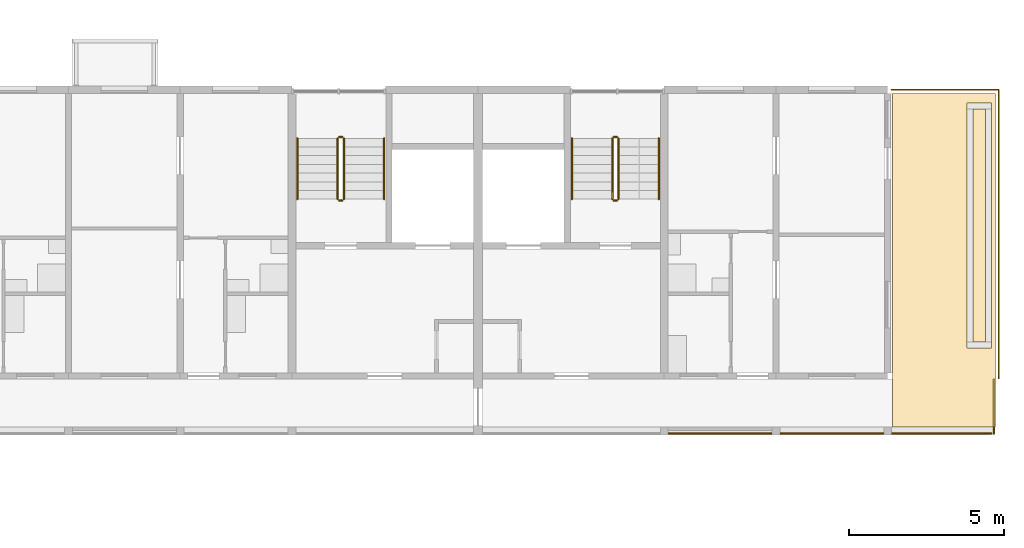
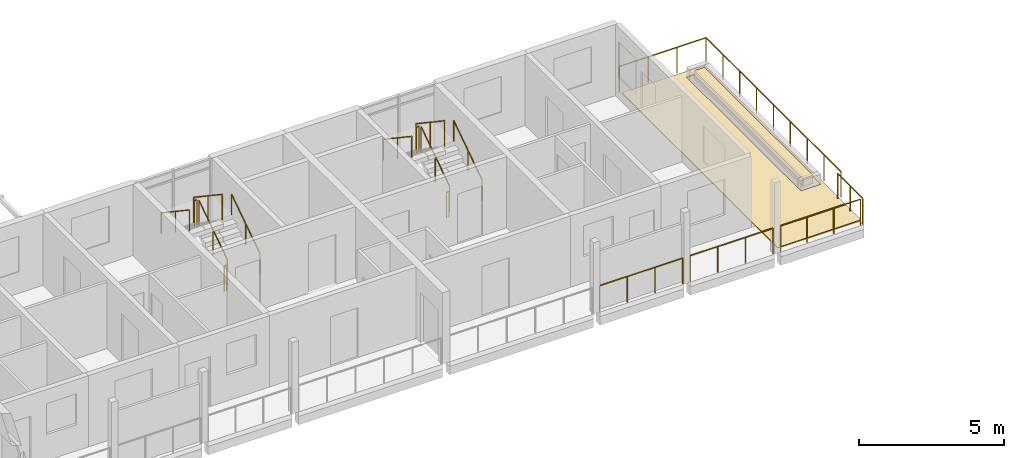
# One storey, part 90 of 94: 17 railings, 3 coverings.
"""IFC4 building model written with IfcOpenShell, lengths in metres."""

from ifc_helpers import new_model, si_unit, direction, frame, origin, origin_2d, place, context, subcontext, project, spatial, polyline, circle, outline, extrude, material, layer, layer_set, type_object, element, save


model = new_model("IFC4")

# Units and contexts
model_context = context("Model", 3, precision=1e-05, world=origin(), true_north=direction((0.0, 1.0)))
body_context = subcontext(model_context, "Body", "Model", "MODEL_VIEW")
ifc_project = project(units=[si_unit("LENGTHUNIT", "METRE"), si_unit("AREAUNIT", "SQUARE_METRE"), si_unit("VOLUMEUNIT", "CUBIC_METRE"), si_unit("PLANEANGLEUNIT", "RADIAN"), si_unit("MASSUNIT", "GRAM", prefix="KILO")], contexts=[model_context])

# Site, building, storey
site_placement = place(None, origin())
site = spatial("IfcSite", under=ifc_project, at=site_placement, CompositionType="ELEMENT")
building_placement = place(site_placement, origin())
building = spatial("IfcBuilding", under=site, at=building_placement, Name="Ridgestep Commons", CompositionType="ELEMENT")
storey_placement = place(building_placement, frame((0.0, 0.0, 21.0)))
storey = spatial("IfcBuildingStorey", under=building, at=storey_placement, Name="L07", CompositionType="ELEMENT", Elevation=21.0)

# Railings
ifc_material_1 = material(Name="Structural steel S355JR", Category="steel")
railing_type_1 = type_object("IfcRailingType", Name="Guard 1100", PredefinedType="GUARDRAIL", material=ifc_material_1)
railing_1_placement = place(storey_placement, frame((247.5791015625, 67.821044921875, 0.0)))
element("IfcRailing", 1, at=railing_1_placement, inside=storey, type_object=railing_type_1, Name="Guard TD-C6R1-GD", PredefinedType="GUARDRAIL", context=body_context, shape_type="SweptSolid", body=[
    extrude(circle(Radius=0.02392578125, at=origin_2d()), frame((0.0, 0.0, 1.076171875), z_axis=(0.0, 1.0, 0.0), x_axis=(-1.0, 0.0, 0.0)), (0.0, 0.0, 1.0), 9.303955078125),
    extrude(circle(Radius=0.02392578125, at=origin_2d()), frame((0.0, 9.303955078125, 1.076171875), z_axis=(-1.0, 0.0, 0.0), x_axis=(0.0, -1.0, 0.0)), (0.0, 0.0, 1.0), 3.4580078125),
    extrude(circle(Radius=0.02099609375, at=origin_2d()), origin(), (0.0, 0.0, 1.0), 1.052001953125),
    extrude(circle(Radius=0.02099609375, at=origin_2d()), frame((0.0, 1.1630859375, 0.0)), (0.0, 0.0, 1.0), 1.052001953125),
    extrude(circle(Radius=0.02099609375, at=origin_2d()), frame((0.0, 2.325927734375, 0.0)), (0.0, 0.0, 1.0), 1.052001953125),
    extrude(circle(Radius=0.02099609375, at=origin_2d()), frame((0.0, 3.489013671875, 0.0)), (0.0, 0.0, 1.0), 1.052001953125),
    extrude(circle(Radius=0.02099609375, at=origin_2d()), frame((0.0, 4.65185546875, 0.0)), (0.0, 0.0, 1.0), 1.052001953125),
    extrude(circle(Radius=0.02099609375, at=origin_2d()), frame((0.0, 5.81494140625, 0.0)), (0.0, 0.0, 1.0), 1.052001953125),
    extrude(circle(Radius=0.02099609375, at=origin_2d()), frame((0.0, 6.97802734375, 0.0)), (0.0, 0.0, 1.0), 1.052001953125),
    extrude(circle(Radius=0.02099609375, at=origin_2d()), frame((0.0, 8.140869140625, 0.0)), (0.0, 0.0, 1.0), 1.052001953125),
    extrude(circle(Radius=0.02099609375, at=origin_2d()), frame((0.0, 9.303955078125, 0.0)), (0.0, 0.0, 1.0), 1.052001953125),
    extrude(circle(Radius=0.02099609375, at=origin_2d()), frame((-1.152587890625, 9.303955078125, 0.0)), (0.0, 0.0, 1.0), 1.052001953125),
    extrude(circle(Radius=0.02099609375, at=origin_2d()), frame((-2.305419921875, 9.303955078125, 0.0)), (0.0, 0.0, 1.0), 1.052001953125),
    extrude(circle(Radius=0.02099609375, at=origin_2d()), frame((-3.4580078125, 9.303955078125, 0.0)), (0.0, 0.0, 1.0), 1.052001953125),
])
railing_2_placement = place(storey_placement, frame((236.946044921875, 66.050048828125, 0.0)))
element("IfcRailing", 2, at=railing_2_placement, inside=storey, type_object=railing_type_1, Name="Gallery guard C 07.22", PredefinedType="GUARDRAIL", context=body_context, shape_type="SweptSolid", body=[
    extrude(circle(Radius=0.02392578125, at=origin_2d()), frame((0.0, 0.0, 1.076171875), z_axis=(1.0, 0.0, 0.0), x_axis=(0.0, 1.0, 0.0)), (0.0, 0.0, 1.0), 3.307861328125),
    extrude(circle(Radius=0.02099609375, at=origin_2d()), origin(), (0.0, 0.0, 1.0), 1.052001953125),
    extrude(circle(Radius=0.02099609375, at=origin_2d()), frame((1.1025390625, 0.0, 0.0)), (0.0, 0.0, 1.0), 1.052001953125),
    extrude(circle(Radius=0.02099609375, at=origin_2d()), frame((2.205322265625, 0.0, 0.0)), (0.0, 0.0, 1.0), 1.052001953125),
    extrude(circle(Radius=0.02099609375, at=origin_2d()), frame((3.307861328125, 0.0, 0.0)), (0.0, 0.0, 1.0), 1.052001953125),
])
railing_3_placement = place(storey_placement, frame((240.5458984375, 66.050048828125, 0.0)))
element("IfcRailing", 3, at=railing_3_placement, inside=storey, type_object=railing_type_1, Name="Gallery guard C 07.23", PredefinedType="GUARDRAIL", context=body_context, shape_type="SweptSolid", body=[
    extrude(circle(Radius=0.02392578125, at=origin_2d()), frame((0.0, 0.0, 1.076171875), z_axis=(1.0, 0.0, 0.0), x_axis=(0.0, 1.0, 0.0)), (0.0, 0.0, 1.0), 3.30810546875),
    extrude(circle(Radius=0.02099609375, at=origin_2d()), origin(), (0.0, 0.0, 1.0), 1.052001953125),
    extrude(circle(Radius=0.02099609375, at=origin_2d()), frame((1.102783203125, 0.0, 0.0)), (0.0, 0.0, 1.0), 1.052001953125),
    extrude(circle(Radius=0.02099609375, at=origin_2d()), frame((2.205322265625, 0.0, 0.0)), (0.0, 0.0, 1.0), 1.052001953125),
    extrude(circle(Radius=0.02099609375, at=origin_2d()), frame((3.30810546875, 0.0, 0.0)), (0.0, 0.0, 1.0), 1.052001953125),
])
railing_4_placement = place(storey_placement, frame((244.14599609375, 66.050048828125, 0.0)))
element("IfcRailing", 4, at=railing_4_placement, inside=storey, type_object=railing_type_1, Name="Gallery guard C 07.24", PredefinedType="GUARDRAIL", context=body_context, shape_type="SweptSolid", body=[
    extrude(circle(Radius=0.02392578125, at=origin_2d()), frame((0.0, 0.0, 1.076171875), z_axis=(1.0, 0.0, 0.0), x_axis=(0.0, 1.0, 0.0)), (0.0, 0.0, 1.0), 3.193115234375),
    extrude(circle(Radius=0.02099609375, at=origin_2d()), origin(), (0.0, 0.0, 1.0), 1.052001953125),
    extrude(circle(Radius=0.02099609375, at=origin_2d()), frame((1.064453125, 0.0, 0.0)), (0.0, 0.0, 1.0), 1.052001953125),
    extrude(circle(Radius=0.02099609375, at=origin_2d()), frame((2.128662109375, 0.0, 0.0)), (0.0, 0.0, 1.0), 1.052001953125),
    extrude(circle(Radius=0.02099609375, at=origin_2d()), frame((3.193115234375, 0.0, 0.0)), (0.0, 0.0, 1.0), 1.052001953125),
])
railing_5_placement = place(storey_placement, frame((247.428955078125, 66.050048828125, 0.0)))
element("IfcRailing", 5, at=railing_5_placement, inside=storey, type_object=railing_type_1, Name="Gallery end guard C 07.24E", PredefinedType="GUARDRAIL", context=body_context, shape_type="SweptSolid", body=[
    extrude(circle(Radius=0.02392578125, at=origin_2d()), frame((0.0, 0.0, 1.076171875), z_axis=(0.0, 1.0, 0.0), x_axis=(-1.0, 0.0, 0.0)), (0.0, 0.0, 1.0), 1.72900390625),
    extrude(circle(Radius=0.02099609375, at=origin_2d()), origin(), (0.0, 0.0, 1.0), 1.052001953125),
    extrude(circle(Radius=0.02099609375, at=origin_2d()), frame((0.0, 0.864501953125, 0.0)), (0.0, 0.0, 1.0), 1.052001953125),
    extrude(circle(Radius=0.02099609375, at=origin_2d()), frame((0.0, 1.72900390625, 0.0)), (0.0, 0.0, 1.0), 1.052001953125),
])

# Covering
ifc_material_2 = material(Name="Planting soil")
ifc_layer_1 = layer(ifc_material_2, 0.35009765625)
ifc_layer_set_1 = layer_set([ifc_layer_1], Name="Planting soil 350")
covering_type_1 = type_object("IfcCoveringType", Name="Planting soil 350", PredefinedType="FLOORING", material=ifc_layer_set_1)
covering_1_placement = place(storey_placement, frame((0.0, 0.0, 0.010009765625)))
element("IfcCovering", 6, at=covering_1_placement, inside=storey, type_object=covering_type_1, Name="Planting soil C6R1", PredefinedType="FLOORING", context=body_context, shape_type="SweptSolid", body=[
    extrude(outline(polyline([(246.75, 69.0), (247.14990234375, 69.0), (247.14990234375, 76.5), (246.75, 76.5), (246.75, 69.0)])), origin(), (0.0, 0.0, 1.0), 0.35009765625),
])

# Railings
ifc_material_3 = material(Name="Structural steel S355JR", Category="steel")
railing_type_2 = type_object("IfcRailingType", Name="Stair guard 1100", PredefinedType="GUARDRAIL", material=ifc_material_3)
railing_6_placement = place(storey_placement, frame((226.47509765625, 73.60009765625, 0.1875)))
element("IfcRailing", 7, at=railing_6_placement, inside=storey, type_object=railing_type_2, Name="L07 C5C stair guard 1", PredefinedType="GUARDRAIL", context=body_context, shape_type="SweptSolid", body=[
    extrude(circle(Radius=0.02392578125, at=origin_2d()), frame((0.0, 0.0, 1.076171875), z_axis=(0.0, 0.830902050051, 0.556418712142), x_axis=(-1.0, 0.0, 0.0)), (0.0, 0.0, 1.0), 2.35888671875),
    extrude(circle(Radius=0.02099609375, at=origin_2d()), origin(), (0.0, 0.0, 1.0), 1.052001953125),
    extrude(circle(Radius=0.02099609375, at=origin_2d()), frame((0.0, 0.97998046875, 0.65625)), (0.0, 0.0, 1.0), 1.052001953125),
    extrude(circle(Radius=0.02099609375, at=origin_2d()), frame((0.0, 1.9599609375, 1.3125)), (0.0, 0.0, 1.0), 1.052001953125),
])
railing_7_placement = place(storey_placement, frame((226.425048828125, 75.610107421875, 1.5)))
element("IfcRailing", 8, at=railing_7_placement, inside=storey, type_object=railing_type_2, Name="L07 C5C stair guard 2", PredefinedType="GUARDRAIL", context=body_context, shape_type="SweptSolid", body=[
    extrude(circle(Radius=0.02392578125, at=origin_2d()), frame((0.0, 0.0, 1.076171875), z_axis=(-1.0, 0.0, 0.0), x_axis=(0.0, -1.0, 0.0)), (0.0, 0.0, 1.0), 0.10009765625),
    extrude(circle(Radius=0.02099609375, at=origin_2d()), origin(), (0.0, 0.0, 1.0), 1.052001953125),
    extrude(circle(Radius=0.02099609375, at=origin_2d()), frame((-0.10009765625, 0.0, 0.0)), (0.0, 0.0, 1.0), 1.052001953125),
])
railing_8_placement = place(storey_placement, frame((226.27490234375, 75.56005859375, 1.6875)))
element("IfcRailing", 9, at=railing_8_placement, inside=storey, type_object=railing_type_2, Name="L07 C5C stair guard 3", PredefinedType="GUARDRAIL", context=body_context, shape_type="SweptSolid", body=[
    extrude(circle(Radius=0.02392578125, at=origin_2d()), frame((0.0, 0.0, 1.076171875), z_axis=(0.0, -0.830902050051, 0.556418712142), x_axis=(1.0, 0.0, 0.0)), (0.0, 0.0, 1.0), 2.35888671875),
    extrude(circle(Radius=0.02099609375, at=origin_2d()), origin(), (0.0, 0.0, 1.0), 1.052001953125),
    extrude(circle(Radius=0.02099609375, at=origin_2d()), frame((0.0, -0.97998046875, 0.65625)), (0.0, 0.0, 1.0), 1.052001953125),
    extrude(circle(Radius=0.02099609375, at=origin_2d()), frame((0.0, -1.9599609375, 1.3125)), (0.0, 0.0, 1.0), 1.052001953125),
])
railing_9_placement = place(storey_placement, frame((226.425048828125, 73.550048828125, 0.0)))
element("IfcRailing", 10, at=railing_9_placement, inside=storey, type_object=railing_type_2, Name="L07 C5C stair guard 4", PredefinedType="GUARDRAIL", context=body_context, shape_type="SweptSolid", body=[
    extrude(circle(Radius=0.02392578125, at=origin_2d()), frame((0.0, 0.0, 1.076171875), z_axis=(-1.0, 0.0, 0.0), x_axis=(0.0, -1.0, 0.0)), (0.0, 0.0, 1.0), 0.10009765625),
    extrude(circle(Radius=0.02099609375, at=origin_2d()), origin(), (0.0, 0.0, 1.0), 1.052001953125),
    extrude(circle(Radius=0.02099609375, at=origin_2d()), frame((-0.10009765625, 0.0, 0.0)), (0.0, 0.0, 1.0), 1.052001953125),
])
railing_10_placement = place(storey_placement, frame((235.324951171875, 73.60009765625, 0.1875)))
element("IfcRailing", 11, at=railing_10_placement, inside=storey, type_object=railing_type_2, Name="L07 C6C stair guard 1", PredefinedType="GUARDRAIL", context=body_context, shape_type="SweptSolid", body=[
    extrude(circle(Radius=0.02392578125, at=origin_2d()), frame((0.0, 0.0, 1.076171875), z_axis=(0.0, 0.830902050051, 0.556418712142), x_axis=(-1.0, 0.0, 0.0)), (0.0, 0.0, 1.0), 2.35888671875),
    extrude(circle(Radius=0.02099609375, at=origin_2d()), origin(), (0.0, 0.0, 1.0), 1.052001953125),
    extrude(circle(Radius=0.02099609375, at=origin_2d()), frame((0.0, 0.97998046875, 0.65625)), (0.0, 0.0, 1.0), 1.052001953125),
    extrude(circle(Radius=0.02099609375, at=origin_2d()), frame((0.0, 1.9599609375, 1.3125)), (0.0, 0.0, 1.0), 1.052001953125),
])
railing_11_placement = place(storey_placement, frame((235.27490234375, 75.610107421875, 1.5)))
element("IfcRailing", 12, at=railing_11_placement, inside=storey, type_object=railing_type_2, Name="L07 C6C stair guard 2", PredefinedType="GUARDRAIL", context=body_context, shape_type="SweptSolid", body=[
    extrude(circle(Radius=0.02392578125, at=origin_2d()), frame((0.0, 0.0, 1.076171875), z_axis=(-1.0, 0.0, 0.0), x_axis=(0.0, -1.0, 0.0)), (0.0, 0.0, 1.0), 0.099853515625),
    extrude(circle(Radius=0.02099609375, at=origin_2d()), origin(), (0.0, 0.0, 1.0), 1.052001953125),
    extrude(circle(Radius=0.02099609375, at=origin_2d()), frame((-0.099853515625, 0.0, 0.0)), (0.0, 0.0, 1.0), 1.052001953125),
])
railing_12_placement = place(storey_placement, frame((235.125, 75.56005859375, 1.6875)))
element("IfcRailing", 13, at=railing_12_placement, inside=storey, type_object=railing_type_2, Name="L07 C6C stair guard 3", PredefinedType="GUARDRAIL", context=body_context, shape_type="SweptSolid", body=[
    extrude(circle(Radius=0.02392578125, at=origin_2d()), frame((0.0, 0.0, 1.076171875), z_axis=(0.0, -0.830902050051, 0.556418712142), x_axis=(1.0, 0.0, 0.0)), (0.0, 0.0, 1.0), 2.35888671875),
    extrude(circle(Radius=0.02099609375, at=origin_2d()), origin(), (0.0, 0.0, 1.0), 1.052001953125),
    extrude(circle(Radius=0.02099609375, at=origin_2d()), frame((0.0, -0.97998046875, 0.65625)), (0.0, 0.0, 1.0), 1.052001953125),
    extrude(circle(Radius=0.02099609375, at=origin_2d()), frame((0.0, -1.9599609375, 1.3125)), (0.0, 0.0, 1.0), 1.052001953125),
])
railing_13_placement = place(storey_placement, frame((235.27490234375, 73.550048828125, 0.0)))
element("IfcRailing", 14, at=railing_13_placement, inside=storey, type_object=railing_type_2, Name="L07 C6C stair guard 4", PredefinedType="GUARDRAIL", context=body_context, shape_type="SweptSolid", body=[
    extrude(circle(Radius=0.02392578125, at=origin_2d()), frame((0.0, 0.0, 1.076171875), z_axis=(-1.0, 0.0, 0.0), x_axis=(0.0, -1.0, 0.0)), (0.0, 0.0, 1.0), 0.099853515625),
    extrude(circle(Radius=0.02099609375, at=origin_2d()), origin(), (0.0, 0.0, 1.0), 1.052001953125),
    extrude(circle(Radius=0.02099609375, at=origin_2d()), frame((-0.099853515625, 0.0, 0.0)), (0.0, 0.0, 1.0), 1.052001953125),
])
ifc_material_4 = material(Name="Structural steel S355JR", Category="steel")
railing_type_3 = type_object("IfcRailingType", Name="Stair handrail 900", PredefinedType="HANDRAIL", material=ifc_material_4)
railing_14_placement = place(storey_placement, frame((227.77490234375, 73.60009765625, 0.1875)))
element("IfcRailing", 15, at=railing_14_placement, inside=storey, type_object=railing_type_3, Name="L07 C5C stair handrail 1", PredefinedType="HANDRAIL", context=body_context, shape_type="SweptSolid", body=[
    extrude(circle(Radius=0.02392578125, at=origin_2d()), frame((0.0, 0.0, 0.8759765625), z_axis=(0.0, 0.830902050051, 0.556418712142), x_axis=(-1.0, 0.0, 0.0)), (0.0, 0.0, 1.0), 2.35888671875),
    extrude(circle(Radius=0.02099609375, at=origin_2d()), origin(), (0.0, 0.0, 1.0), 0.851806640625),
    extrude(circle(Radius=0.02099609375, at=origin_2d()), frame((0.0, 0.97998046875, 0.65625)), (0.0, 0.0, 1.0), 0.851806640625),
    extrude(circle(Radius=0.02099609375, at=origin_2d()), frame((0.0, 1.9599609375, 1.3125)), (0.0, 0.0, 1.0), 0.851806640625),
])
railing_15_placement = place(storey_placement, frame((224.97509765625, 75.56005859375, 1.6875)))
element("IfcRailing", 16, at=railing_15_placement, inside=storey, type_object=railing_type_3, Name="L07 C5C stair handrail 2", PredefinedType="HANDRAIL", context=body_context, shape_type="SweptSolid", body=[
    extrude(circle(Radius=0.02392578125, at=origin_2d()), frame((0.0, 0.0, 0.8759765625), z_axis=(0.0, -0.830902050051, 0.556418712142), x_axis=(1.0, 0.0, 0.0)), (0.0, 0.0, 1.0), 2.35888671875),
    extrude(circle(Radius=0.02099609375, at=origin_2d()), origin(), (0.0, 0.0, 1.0), 0.851806640625),
    extrude(circle(Radius=0.02099609375, at=origin_2d()), frame((0.0, -0.97998046875, 0.65625)), (0.0, 0.0, 1.0), 0.851806640625),
    extrude(circle(Radius=0.02099609375, at=origin_2d()), frame((0.0, -1.9599609375, 1.3125)), (0.0, 0.0, 1.0), 0.851806640625),
])
railing_16_placement = place(storey_placement, frame((236.625, 73.60009765625, 0.1875)))
element("IfcRailing", 17, at=railing_16_placement, inside=storey, type_object=railing_type_3, Name="L07 C6C stair handrail 1", PredefinedType="HANDRAIL", context=body_context, shape_type="SweptSolid", body=[
    extrude(circle(Radius=0.02392578125, at=origin_2d()), frame((0.0, 0.0, 0.8759765625), z_axis=(0.0, 0.830902050051, 0.556418712142), x_axis=(-1.0, 0.0, 0.0)), (0.0, 0.0, 1.0), 2.35888671875),
    extrude(circle(Radius=0.02099609375, at=origin_2d()), origin(), (0.0, 0.0, 1.0), 0.851806640625),
    extrude(circle(Radius=0.02099609375, at=origin_2d()), frame((0.0, 0.97998046875, 0.65625)), (0.0, 0.0, 1.0), 0.851806640625),
    extrude(circle(Radius=0.02099609375, at=origin_2d()), frame((0.0, 1.9599609375, 1.3125)), (0.0, 0.0, 1.0), 0.851806640625),
])
railing_17_placement = place(storey_placement, frame((233.824951171875, 75.56005859375, 1.6875)))
element("IfcRailing", 18, at=railing_17_placement, inside=storey, type_object=railing_type_3, Name="L07 C6C stair handrail 2", PredefinedType="HANDRAIL", context=body_context, shape_type="SweptSolid", body=[
    extrude(circle(Radius=0.02392578125, at=origin_2d()), frame((0.0, 0.0, 0.8759765625), z_axis=(0.0, -0.830902050051, 0.556418712142), x_axis=(1.0, 0.0, 0.0)), (0.0, 0.0, 1.0), 2.35888671875),
    extrude(circle(Radius=0.02099609375, at=origin_2d()), origin(), (0.0, 0.0, 1.0), 0.851806640625),
    extrude(circle(Radius=0.02099609375, at=origin_2d()), frame((0.0, -0.97998046875, 0.65625)), (0.0, 0.0, 1.0), 0.851806640625),
    extrude(circle(Radius=0.02099609375, at=origin_2d()), frame((0.0, -1.9599609375, 1.3125)), (0.0, 0.0, 1.0), 0.851806640625),
])

# Coverings
ifc_material_5 = material(Name="Bitumen membrane, two layer")
ifc_layer_2 = layer(ifc_material_5, 0.010009765625)
ifc_layer_set_2 = layer_set([ifc_layer_2], Name="Terrace membrane 10")
covering_type_2 = type_object("IfcCoveringType", Name="Terrace membrane 10", PredefinedType="ROOFING", material=ifc_layer_set_2)
covering_2_placement = place(storey_placement, origin())
element("IfcCovering", 19, at=covering_2_placement, inside=storey, type_object=covering_type_2, Name="Terrace membrane C6R1", PredefinedType="ROOFING", context=body_context, shape_type="SweptSolid", body=[
    extrude(outline(polyline([(247.47509765625, 66.25), (247.47509765625, 77.0), (244.14990234375, 77.0), (244.14990234375, 66.25), (247.47509765625, 66.25)]), holes=[polyline([(247.35009765625, 68.800048828125), (247.35009765625, 76.699951171875), (246.550048828125, 76.699951171875), (246.550048828125, 68.800048828125), (247.35009765625, 68.800048828125)])]), origin(), (0.0, 0.0, 1.0), 0.010009765625),
])
ifc_material_6 = material(Name="Concrete paving slab", Category="concrete")
ifc_layer_3 = layer(ifc_material_6, 0.030029296875)
ifc_layer_set_3 = layer_set([ifc_layer_3], Name="Terrace paving 30")
covering_type_3 = type_object("IfcCoveringType", Name="Terrace paving 30", PredefinedType="FLOORING", material=ifc_layer_set_3)
covering_3_placement = place(storey_placement, frame((0.0, 0.0, 0.010009765625)))
element("IfcCovering", 20, at=covering_3_placement, inside=storey, type_object=covering_type_3, Name="Terrace paving C6R1", PredefinedType="FLOORING", context=body_context, shape_type="SweptSolid", body=[
    extrude(outline(polyline([(247.47509765625, 66.25), (247.47509765625, 77.0), (244.14990234375, 77.0), (244.14990234375, 66.25), (247.47509765625, 66.25)]), holes=[polyline([(247.35009765625, 68.800048828125), (247.35009765625, 76.699951171875), (246.550048828125, 76.699951171875), (246.550048828125, 68.800048828125), (247.35009765625, 68.800048828125)])]), origin(), (0.0, 0.0, 1.0), 0.030029296875),
])

save(model, "model.ifc")
